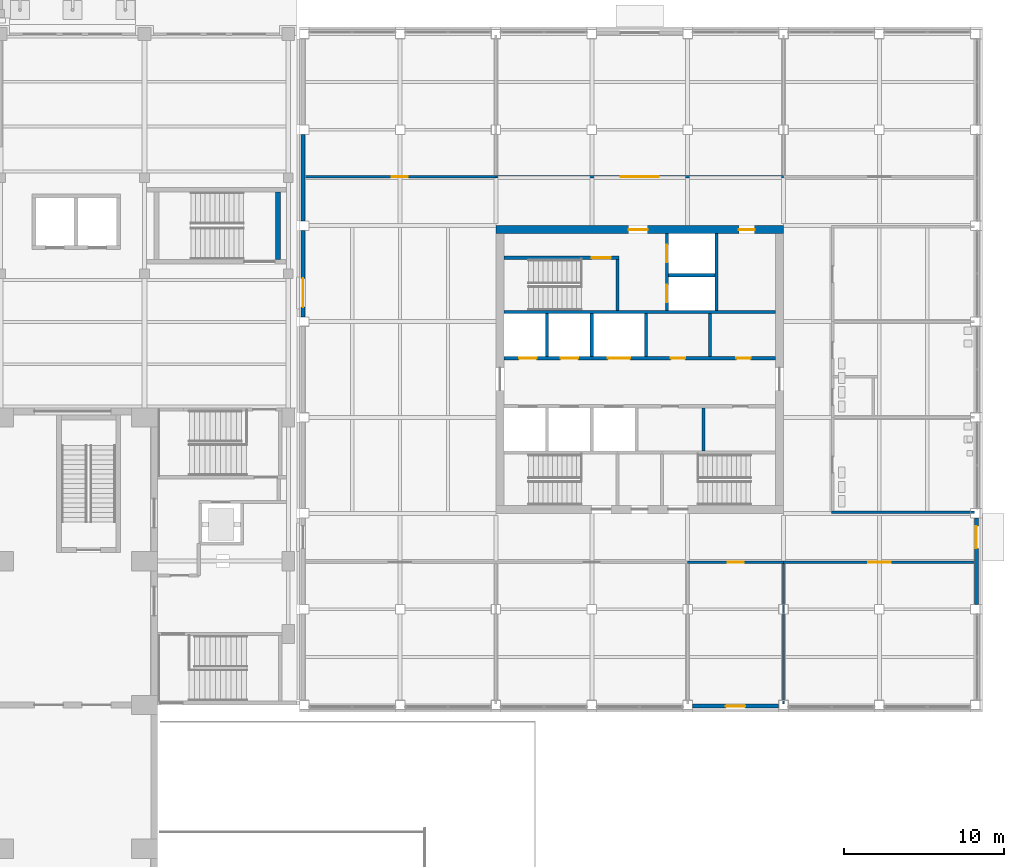
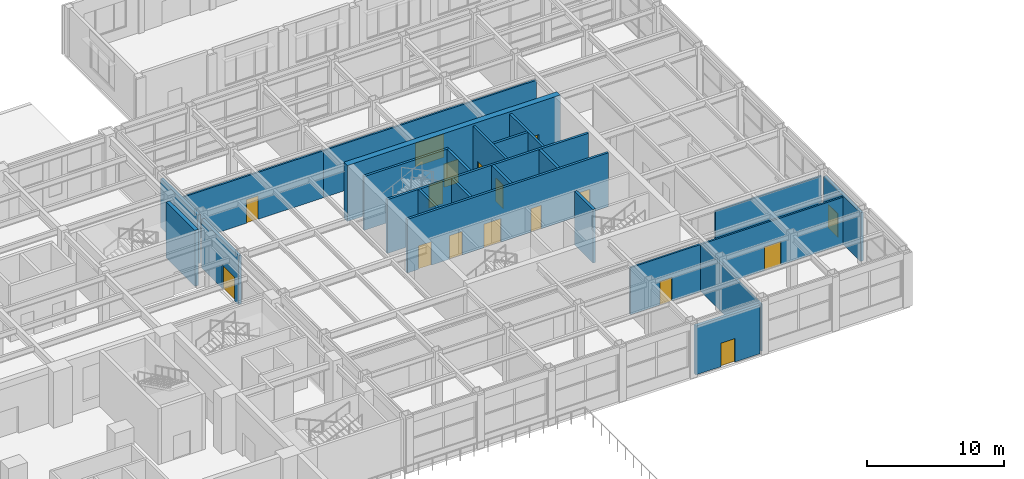
# One storey, part 46 of 77: 24 walls, 17 doors, 17 openings.
"""IFC4 building model written with IfcOpenShell, lengths in metres."""

from ifc_helpers import new_model, si_unit, direction, frame, frame_2d, origin, place, context, subcontext, project, spatial, rectangle, extrude, material, layer, layer_set, type_object, element, fill, save


model = new_model("IFC4")

# Units and contexts
model_context = context("Model", 3, precision=1e-05, world=origin(), true_north=direction((0.0, 1.0)))
body_context = subcontext(model_context, "Body", "Model", "MODEL_VIEW")
ifc_project = project(units=[si_unit("LENGTHUNIT", "METRE"), si_unit("AREAUNIT", "SQUARE_METRE"), si_unit("VOLUMEUNIT", "CUBIC_METRE"), si_unit("PLANEANGLEUNIT", "RADIAN"), si_unit("MASSUNIT", "GRAM", prefix="KILO")], contexts=[model_context])

# Site, building, storey
site_placement = place(None, origin())
site = spatial("IfcSite", under=ifc_project, at=site_placement, CompositionType="ELEMENT")
building_placement = place(site_placement, origin())
building = spatial("IfcBuilding", under=site, at=building_placement, Name="Aravalli Gate Trade Fair Centre", CompositionType="ELEMENT")
storey_placement = place(building_placement, origin())
storey = spatial("IfcBuildingStorey", under=building, at=storey_placement, Name="L00", CompositionType="ELEMENT", Elevation=0.0)

# Walls
ifc_material_1 = material(Name="Concrete M40", Category="concrete")
ifc_layer_1 = layer(ifc_material_1, 0.300048828125)
ifc_layer_set_1 = layer_set([ifc_layer_1], Name="Concrete M40")
wall_type_1 = type_object("IfcWallType", Name="RC core wall 300", PredefinedType="SHEAR", material=ifc_layer_set_1)
wall_1_placement = place(storey_placement, frame((158.35009765625, 118.89990234375, 0.0), z_axis=(0.0, 0.0, 1.0), x_axis=(0.0, 1.0, 0.0)))
element("IfcWall", 1, at=wall_1_placement, inside=storey, type_object=wall_type_1, Name="Core wall ESE L00", PredefinedType="SHEAR", context=body_context, shape_type="SweptSolid", body=[
    extrude(rectangle(XDim=4.2001953125, YDim=0.300048828125, at=frame_2d((2.10009765625, 0.0))), origin(), (0.0, 0.0, 1.0), 5.0),
])
ifc_material_2 = material(Name="Concrete M30", Category="concrete")
ifc_layer_2 = layer(ifc_material_2, 0.199951171875)
ifc_layer_set_2 = layer_set([ifc_layer_2], Name="Concrete M30")
wall_type_2 = type_object("IfcWallType", Name="Wing core internal wall 200 (EI 120, core wall)", PredefinedType="SOLIDWALL", material=ifc_layer_set_2)
wall_2_placement = place(storey_placement, frame((172.5, 115.60009765625, 0.0), z_axis=(0.0, 0.0, 1.0), x_axis=(1.0, 0.0, 0.0)))
element("IfcWall", 2, at=wall_2_placement, inside=storey, type_object=wall_type_2, Name="Core wall N-REAR L00", PredefinedType="SOLIDWALL", context=body_context, shape_type="SweptSolid", body=[
    extrude(rectangle(XDim=17.0, YDim=0.199951171875, at=frame_2d((8.5, 0.0))), origin(), (0.0, 0.0, 1.0), 4.800048828125),
])
ifc_layer_3 = layer(ifc_material_2, 0.199951171875)
ifc_layer_set_3 = layer_set([ifc_layer_3], Name="Concrete M30")
wall_type_3 = type_object("IfcWallType", Name="Wing core internal wall 200 (EI 120, firefighting shaft)", PredefinedType="SOLIDWALL", material=ifc_layer_set_3)
wall_3_placement = place(storey_placement, frame((179.60009765625, 115.699951171875, 0.0), z_axis=(0.0, 0.0, 1.0), x_axis=(0.0, 1.0, 0.0)))
element("IfcWall", 3, at=wall_3_placement, inside=storey, type_object=wall_type_3, Name="Core wall FF-AB L00", PredefinedType="SOLIDWALL", context=body_context, shape_type="SweptSolid", body=[
    extrude(rectangle(XDim=3.199951171875, YDim=0.199951171875, at=frame_2d((1.60009765625, 0.0))), origin(), (0.0, 0.0, 1.0), 4.800048828125),
])

# Wall, opening, door
wall_4_placement = place(storey_placement, frame((172.5, 119.0, 0.0), z_axis=(0.0, 0.0, 1.0), x_axis=(1.0, 0.0, 0.0)))
wall_4 = element("IfcWall", 4, at=wall_4_placement, inside=storey, type_object=wall_type_3, Name="Core wall FF-N L00", PredefinedType="SOLIDWALL", context=body_context, shape_type="SweptSolid", body=[
    extrude(rectangle(XDim=7.199951171875, YDim=0.199951171875, at=frame_2d((3.60009765625, 0.0))), origin(), (0.0, 0.0, 1.0), 4.800048828125),
])
opening_1_placement = place(wall_4_placement, frame((5.5, 0.0, 0.0)))
opening_1 = element("IfcOpeningElement", 5, at=opening_1_placement, cuts=wall_4, Name="Opening T-L00-131", PredefinedType="OPENING", context=body_context, shape_type="SweptSolid", body=[
    extrude(rectangle(XDim=1.199951171875, YDim=2.10009765625, at=frame_2d((0.60009765625, 1.050048828125))), frame((0.0, 0.10986328125, 0.0), z_axis=(0.0, -1.0, 0.0), x_axis=(1.0, 0.0, 0.0)), (0.0, 0.0, 1.0), 0.219970703125),
])
ifc_material_3 = material(Name="Steel, fire rated", Category="steel")
door_type_1 = type_object("IfcDoorType", Name="Wing fire door FD120 1200 x 2100", OperationType="SINGLE_SWING_LEFT", PredefinedType="DOOR", material=ifc_material_3)
door_1_placement = place(opening_1_placement, frame((1.199951171875, 0.0, 0.0), z_axis=(0.0, 0.0, 1.0), x_axis=(-1.0, 0.0, 0.0)))
door_1 = element("IfcDoor", 6, at=door_1_placement, inside=storey, type_object=door_type_1, Name="Core door T-L00-131", OperationType="SINGLE_SWING_LEFT", OverallHeight=2.10009765625, OverallWidth=1.199951171875, PredefinedType="DOOR", context=body_context, shape_type="SweptSolid", body=[
    extrude(rectangle(XDim=1.199951171875, YDim=2.10009765625, at=frame_2d((0.60009765625, 1.050048828125))), frame((0.0, 0.02490234375, 0.0), z_axis=(0.0, -1.0, 0.0), x_axis=(1.0, 0.0, 0.0)), (0.0, 0.0, 1.0), 0.050048828125),
])
fill(opening_1, door_1)

# Wall, openings, doors
wall_5_placement = place(storey_placement, frame((182.699951171875, 115.699951171875, 0.0), z_axis=(0.0, 0.0, 1.0), x_axis=(0.0, 1.0, 0.0)))
wall_5 = element("IfcWall", 7, at=wall_5_placement, inside=storey, type_object=wall_type_3, Name="Core wall FF-BC L00", PredefinedType="SOLIDWALL", context=body_context, shape_type="SweptSolid", body=[
    extrude(rectangle(XDim=4.800048828125, YDim=0.199951171875, at=frame_2d((2.39990234375, 0.0))), origin(), (0.0, 0.0, 1.0), 4.800048828125),
])
opening_2_placement = place(wall_5_placement, frame((0.5, 0.0, 0.0)))
opening_2 = element("IfcOpeningElement", 8, at=opening_2_placement, cuts=wall_5, Name="Opening T-L00-132", PredefinedType="OPENING", context=body_context, shape_type="SweptSolid", body=[
    extrude(rectangle(XDim=1.10009765625, YDim=2.10009765625, at=frame_2d((0.550048828125, 1.050048828125))), frame((0.0, 0.10986328125, 0.0), z_axis=(0.0, -1.0, 0.0), x_axis=(1.0, 0.0, 0.0)), (0.0, 0.0, 1.0), 0.219970703125),
])
opening_3_placement = place(wall_5_placement, frame((3.0, 0.0, 0.0)))
opening_3 = element("IfcOpeningElement", 9, at=opening_3_placement, cuts=wall_5, Name="Opening T-L00-133", PredefinedType="OPENING", context=body_context, shape_type="SweptSolid", body=[
    extrude(rectangle(XDim=1.10009765625, YDim=2.10009765625, at=frame_2d((0.550048828125, 1.050048828125))), frame((0.0, 0.10986328125, 0.0), z_axis=(0.0, -1.0, 0.0), x_axis=(1.0, 0.0, 0.0)), (0.0, 0.0, 1.0), 0.219970703125),
])
ifc_material_4 = material(Name="Elevator door panels")
door_type_2 = type_object("IfcDoorType", Name="Wing lift landing door 1100 x 2100", OperationType="SLIDING_TO_LEFT", PredefinedType="DOOR", material=ifc_material_4)
door_2_placement = place(opening_2_placement, origin())
door_2 = element("IfcDoor", 10, at=door_2_placement, inside=storey, type_object=door_type_2, Name="Landing door T-L00-132", OperationType="SLIDING_TO_LEFT", OverallHeight=2.10009765625, OverallWidth=1.10009765625, PredefinedType="DOOR", context=body_context, shape_type="SweptSolid", body=[
    extrude(rectangle(XDim=1.10009765625, YDim=2.10009765625, at=frame_2d((0.550048828125, 1.050048828125))), frame((0.0, 0.02490234375, 0.0), z_axis=(0.0, -1.0, 0.0), x_axis=(1.0, 0.0, 0.0)), (0.0, 0.0, 1.0), 0.050048828125),
])
fill(opening_2, door_2)
door_3_placement = place(opening_3_placement, origin())
door_3 = element("IfcDoor", 11, at=door_3_placement, inside=storey, type_object=door_type_2, Name="Landing door T-L00-133", OperationType="SLIDING_TO_LEFT", OverallHeight=2.10009765625, OverallWidth=1.10009765625, PredefinedType="DOOR", context=body_context, shape_type="SweptSolid", body=[
    extrude(rectangle(XDim=1.10009765625, YDim=2.10009765625, at=frame_2d((0.550048828125, 1.050048828125))), frame((0.0, 0.02490234375, 0.0), z_axis=(0.0, -1.0, 0.0), x_axis=(1.0, 0.0, 0.0)), (0.0, 0.0, 1.0), 0.050048828125),
])
fill(opening_3, door_3)

# Walls
wall_6_placement = place(storey_placement, frame((182.800048828125, 117.89990234375, 0.0), z_axis=(0.0, 0.0, 1.0), x_axis=(1.0, 0.0, 0.0)))
element("IfcWall", 12, at=wall_6_placement, inside=storey, type_object=wall_type_3, Name="Core wall FF-MID L00", PredefinedType="SOLIDWALL", context=body_context, shape_type="SweptSolid", body=[
    extrude(rectangle(XDim=2.89990234375, YDim=0.199951171875, at=frame_2d((1.449951171875, 0.0))), origin(), (0.0, 0.0, 1.0), 4.800048828125),
])
wall_7_placement = place(storey_placement, frame((185.800048828125, 115.699951171875, 0.0), z_axis=(0.0, 0.0, 1.0), x_axis=(0.0, 1.0, 0.0)))
element("IfcWall", 13, at=wall_7_placement, inside=storey, type_object=wall_type_3, Name="Core wall FF-CD L00", PredefinedType="SOLIDWALL", context=body_context, shape_type="SweptSolid", body=[
    extrude(rectangle(XDim=4.800048828125, YDim=0.199951171875, at=frame_2d((2.39990234375, 0.0))), origin(), (0.0, 0.0, 1.0), 4.800048828125),
])
ifc_layer_4 = layer(ifc_material_2, 0.199951171875)
ifc_layer_set_4 = layer_set([ifc_layer_4], Name="Concrete M30")
wall_type_4 = type_object("IfcWallType", Name="Wing core internal wall 200 (EI 120, lift shaft)", PredefinedType="SOLIDWALL", material=ifc_layer_set_4)
for number, where, z_axis, x_axis, name in (
    (14, (175.199951171875, 112.800048828125, 0.0), (0.0, 0.0, 1.0), (0.0, 1.0, 0.0), "Core wall NB-3.2 L00"),
    (15, (178.0, 112.800048828125, 0.0), (0.0, 0.0, 1.0), (0.0, 1.0, 0.0), "Core wall NB-6.0 L00"),
    (16, (181.39990234375, 112.800048828125, 0.0), (0.0, 0.0, 1.0), (0.0, 1.0, 0.0), "Core wall NB-9 L00"),
):
    element("IfcWall", number, at=place(storey_placement, frame(where, z_axis=z_axis, x_axis=x_axis)), inside=storey, type_object=wall_type_4, Name=name, PredefinedType="SOLIDWALL", context=body_context, shape_type="SweptSolid", body=[
        extrude(rectangle(XDim=2.699951171875, YDim=0.199951171875, at=frame_2d((1.35009765625, 0.0))), origin(), (0.0, 0.0, 1.0), 4.800048828125),
    ])

# Wall, openings, doors
wall_8_placement = place(storey_placement, frame((172.5, 112.699951171875, 0.0), z_axis=(0.0, 0.0, 1.0), x_axis=(1.0, 0.0, 0.0)))
wall_8 = element("IfcWall", 17, at=wall_8_placement, inside=storey, type_object=wall_type_4, Name="Core wall N-FRONT L00", PredefinedType="SOLIDWALL", context=body_context, shape_type="SweptSolid", body=[
    extrude(rectangle(XDim=17.0, YDim=0.199951171875, at=frame_2d((8.5, 0.0))), origin(), (0.0, 0.0, 1.0), 4.800048828125),
])
opening_4_placement = place(wall_8_placement, frame((0.949951171875, 0.0, 0.0)))
opening_4 = element("IfcOpeningElement", 18, at=opening_4_placement, cuts=wall_8, Name="Opening T-L00-121", PredefinedType="OPENING", context=body_context, shape_type="SweptSolid", body=[
    extrude(rectangle(XDim=1.10009765625, YDim=2.10009765625, at=frame_2d((0.550048828125, 1.050048828125))), frame((0.0, 0.10986328125, 0.0), z_axis=(0.0, -1.0, 0.0), x_axis=(1.0, 0.0, 0.0)), (0.0, 0.0, 1.0), 0.219970703125),
])
opening_5_placement = place(wall_8_placement, frame((3.550048828125, 0.0, 0.0)))
opening_5 = element("IfcOpeningElement", 19, at=opening_5_placement, cuts=wall_8, Name="Opening T-L00-122", PredefinedType="OPENING", context=body_context, shape_type="SweptSolid", body=[
    extrude(rectangle(XDim=1.10009765625, YDim=2.10009765625, at=frame_2d((0.550048828125, 1.050048828125))), frame((0.0, 0.10986328125, 0.0), z_axis=(0.0, -1.0, 0.0), x_axis=(1.0, 0.0, 0.0)), (0.0, 0.0, 1.0), 0.219970703125),
])
opening_6_placement = place(wall_8_placement, frame((6.5, 0.0, 0.0)))
opening_6 = element("IfcOpeningElement", 20, at=opening_6_placement, cuts=wall_8, Name="Opening T-L00-123", PredefinedType="OPENING", context=body_context, shape_type="SweptSolid", body=[
    extrude(rectangle(XDim=1.39990234375, YDim=2.10009765625, at=frame_2d((0.699951171875, 1.050048828125))), frame((0.0, 0.10986328125, 0.0), z_axis=(0.0, -1.0, 0.0), x_axis=(1.0, 0.0, 0.0)), (0.0, 0.0, 1.0), 0.219970703125),
])
opening_7_placement = place(wall_8_placement, frame((10.449951171875, 0.0, 0.0)))
opening_7 = element("IfcOpeningElement", 21, at=opening_7_placement, cuts=wall_8, Name="Opening T-L00-124", PredefinedType="OPENING", context=body_context, shape_type="SweptSolid", body=[
    extrude(rectangle(XDim=0.89990234375, YDim=2.10009765625, at=frame_2d((0.449951171875, 1.050048828125))), frame((0.0, 0.10986328125, 0.0), z_axis=(0.0, -1.0, 0.0), x_axis=(1.0, 0.0, 0.0)), (0.0, 0.0, 1.0), 0.219970703125),
])
opening_8_placement = place(wall_8_placement, frame((14.550048828125, 0.0, 0.0)))
opening_8 = element("IfcOpeningElement", 22, at=opening_8_placement, cuts=wall_8, Name="Opening T-L00-125", PredefinedType="OPENING", context=body_context, shape_type="SweptSolid", body=[
    extrude(rectangle(XDim=0.89990234375, YDim=2.10009765625, at=frame_2d((0.449951171875, 1.050048828125))), frame((0.0, 0.10986328125, 0.0), z_axis=(0.0, -1.0, 0.0), x_axis=(1.0, 0.0, 0.0)), (0.0, 0.0, 1.0), 0.219970703125),
])
door_type_3 = type_object("IfcDoorType", Name="Wing fire door FD120 900 x 2100", OperationType="SINGLE_SWING_LEFT", PredefinedType="DOOR", material=ifc_material_3)
door_4_placement = place(opening_7_placement, origin())
door_4 = element("IfcDoor", 23, at=door_4_placement, inside=storey, type_object=door_type_3, Name="Core door T-L00-124", OperationType="SINGLE_SWING_LEFT", OverallHeight=2.10009765625, OverallWidth=0.89990234375, PredefinedType="DOOR", context=body_context, shape_type="SweptSolid", body=[
    extrude(rectangle(XDim=0.89990234375, YDim=2.10009765625, at=frame_2d((0.449951171875, 1.050048828125))), frame((0.0, 0.02490234375, 0.0), z_axis=(0.0, -1.0, 0.0), x_axis=(1.0, 0.0, 0.0)), (0.0, 0.0, 1.0), 0.050048828125),
])
fill(opening_7, door_4)
door_5_placement = place(opening_8_placement, origin())
door_5 = element("IfcDoor", 24, at=door_5_placement, inside=storey, type_object=door_type_3, Name="Core door T-L00-125", OperationType="SINGLE_SWING_RIGHT", OverallHeight=2.10009765625, OverallWidth=0.89990234375, PredefinedType="DOOR", context=body_context, shape_type="SweptSolid", body=[
    extrude(rectangle(XDim=0.89990234375, YDim=2.10009765625, at=frame_2d((0.449951171875, 1.050048828125))), frame((0.0, 0.02490234375, 0.0), z_axis=(0.0, -1.0, 0.0), x_axis=(1.0, 0.0, 0.0)), (0.0, 0.0, 1.0), 0.050048828125),
])
fill(opening_8, door_5)
door_6_placement = place(opening_4_placement, origin())
door_6 = element("IfcDoor", 25, at=door_6_placement, inside=storey, type_object=door_type_2, Name="Landing door T-L00-121", OperationType="SLIDING_TO_LEFT", OverallHeight=2.10009765625, OverallWidth=1.10009765625, PredefinedType="DOOR", context=body_context, shape_type="SweptSolid", body=[
    extrude(rectangle(XDim=1.10009765625, YDim=2.10009765625, at=frame_2d((0.550048828125, 1.050048828125))), frame((0.0, 0.02490234375, 0.0), z_axis=(0.0, -1.0, 0.0), x_axis=(1.0, 0.0, 0.0)), (0.0, 0.0, 1.0), 0.050048828125),
])
fill(opening_4, door_6)
door_7_placement = place(opening_5_placement, origin())
door_7 = element("IfcDoor", 26, at=door_7_placement, inside=storey, type_object=door_type_2, Name="Landing door T-L00-122", OperationType="SLIDING_TO_LEFT", OverallHeight=2.10009765625, OverallWidth=1.10009765625, PredefinedType="DOOR", context=body_context, shape_type="SweptSolid", body=[
    extrude(rectangle(XDim=1.10009765625, YDim=2.10009765625, at=frame_2d((0.550048828125, 1.050048828125))), frame((0.0, 0.02490234375, 0.0), z_axis=(0.0, -1.0, 0.0), x_axis=(1.0, 0.0, 0.0)), (0.0, 0.0, 1.0), 0.050048828125),
])
fill(opening_5, door_7)
door_type_4 = type_object("IfcDoorType", Name="Wing lift landing door 1400 x 2100", OperationType="SLIDING_TO_LEFT", PredefinedType="DOOR", material=ifc_material_4)
door_8_placement = place(opening_6_placement, origin())
door_8 = element("IfcDoor", 27, at=door_8_placement, inside=storey, type_object=door_type_4, Name="Landing door T-L00-123", OperationType="SLIDING_TO_LEFT", OverallHeight=2.10009765625, OverallWidth=1.39990234375, PredefinedType="DOOR", context=body_context, shape_type="SweptSolid", body=[
    extrude(rectangle(XDim=1.39990234375, YDim=2.10009765625, at=frame_2d((0.699951171875, 1.050048828125))), frame((0.0, 0.02490234375, 0.0), z_axis=(0.0, -1.0, 0.0), x_axis=(1.0, 0.0, 0.0)), (0.0, 0.0, 1.0), 0.050048828125),
])
fill(opening_6, door_8)

# Walls
ifc_material_5 = material(Name="Concrete block masonry", Category="masonry")
ifc_layer_5 = layer(ifc_material_5, 0.199951171875)
ifc_layer_set_5 = layer_set([ifc_layer_5], Name="Concrete block masonry")
wall_type_5 = type_object("IfcWallType", Name="Wing core internal wall 200 (EI 120, riser shaft)", PredefinedType="SOLIDWALL", material=ifc_layer_set_5)
wall_9_placement = place(storey_placement, frame((185.0, 106.89990234375, 0.0), z_axis=(0.0, 0.0, 1.0), x_axis=(0.0, 1.0, 0.0)))
element("IfcWall", 28, at=wall_9_placement, inside=storey, type_object=wall_type_5, Name="Core wall SB-13 L00", PredefinedType="SOLIDWALL", context=body_context, shape_type="SweptSolid", body=[
    extrude(rectangle(XDim=2.7001953125, YDim=0.199951171875, at=frame_2d((1.35009765625, 0.0))), origin(), (0.0, 0.0, 1.0), 4.800048828125),
])
wall_10_placement = place(storey_placement, frame((185.39990234375, 112.800048828125, 0.0), z_axis=(0.0, 0.0, 1.0), x_axis=(0.0, 1.0, 0.0)))
element("IfcWall", 29, at=wall_10_placement, inside=storey, type_object=wall_type_5, Name="Core wall NB-13 L00", PredefinedType="SOLIDWALL", context=body_context, shape_type="SweptSolid", body=[
    extrude(rectangle(XDim=2.699951171875, YDim=0.199951171875, at=frame_2d((1.35009765625, 0.0))), origin(), (0.0, 0.0, 1.0), 4.800048828125),
])

# Wall, openings, doors
ifc_material_6 = material(Name="Concrete M50", Category="concrete")
ifc_layer_6 = layer(ifc_material_6, 0.5)
ifc_layer_set_6 = layer_set([ifc_layer_6], Name="Concrete M50")
wall_type_6 = type_object("IfcWallType", Name="Wing core shear wall 500", PredefinedType="SHEAR", material=ifc_layer_set_6)
wall_11_placement = place(storey_placement, frame((172.0, 120.75, 0.0), z_axis=(0.0, 0.0, 1.0), x_axis=(1.0, 0.0, 0.0)))
wall_11 = element("IfcWall", 30, at=wall_11_placement, inside=storey, type_object=wall_type_6, Name="Core wall N L00", PredefinedType="SHEAR", context=body_context, shape_type="SweptSolid", body=[
    extrude(rectangle(XDim=18.0, YDim=0.5, at=frame_2d((9.0, 0.0))), origin(), (0.0, 0.0, 1.0), 5.0),
])
opening_9_placement = place(wall_11_placement, frame((8.300048828125, 0.0, 0.0)))
opening_9 = element("IfcOpeningElement", 31, at=opening_9_placement, cuts=wall_11, Name="Opening T-L00-104", PredefinedType="OPENING", context=body_context, shape_type="SweptSolid", body=[
    extrude(rectangle(XDim=1.199951171875, YDim=2.10009765625, at=frame_2d((0.60009765625, 1.050048828125))), frame((0.0, 0.260009765625, 0.0), z_axis=(0.0, -1.0, 0.0), x_axis=(1.0, 0.0, 0.0)), (0.0, 0.0, 1.0), 0.52001953125),
])
opening_10_placement = place(wall_11_placement, frame((15.199951171875, 0.0, 0.0)))
opening_10 = element("IfcOpeningElement", 32, at=opening_10_placement, cuts=wall_11, Name="Opening T-L00-105", PredefinedType="OPENING", context=body_context, shape_type="SweptSolid", body=[
    extrude(rectangle(XDim=1.0, YDim=2.10009765625, at=frame_2d((0.5, 1.050048828125))), frame((0.0, 0.260009765625, 0.0), z_axis=(0.0, -1.0, 0.0), x_axis=(1.0, 0.0, 0.0)), (0.0, 0.0, 1.0), 0.52001953125),
])
door_type_5 = type_object("IfcDoorType", Name="Wing fire door FD120 1000 x 2100", OperationType="SINGLE_SWING_LEFT", PredefinedType="DOOR", material=ifc_material_3)
door_9_placement = place(opening_10_placement, frame((1.0, 0.0, 0.0), z_axis=(0.0, 0.0, 1.0), x_axis=(-1.0, 0.0, 0.0)))
door_9 = element("IfcDoor", 33, at=door_9_placement, inside=storey, type_object=door_type_5, Name="Core door T-L00-105", OperationType="SINGLE_SWING_LEFT", OverallHeight=2.10009765625, OverallWidth=1.0, PredefinedType="DOOR", context=body_context, shape_type="SweptSolid", body=[
    extrude(rectangle(XDim=1.0, YDim=2.10009765625, at=frame_2d((0.5, 1.050048828125))), frame((0.0, 0.02490234375, 0.0), z_axis=(0.0, -1.0, 0.0), x_axis=(1.0, 0.0, 0.0)), (0.0, 0.0, 1.0), 0.050048828125),
])
fill(opening_10, door_9)
door_10_placement = place(opening_9_placement, frame((1.199951171875, 0.0, 0.0), z_axis=(0.0, 0.0, 1.0), x_axis=(-1.0, 0.0, 0.0)))
door_10 = element("IfcDoor", 34, at=door_10_placement, inside=storey, type_object=door_type_1, Name="Core door T-L00-104", OperationType="SINGLE_SWING_LEFT", OverallHeight=2.10009765625, OverallWidth=1.199951171875, PredefinedType="DOOR", context=body_context, shape_type="SweptSolid", body=[
    extrude(rectangle(XDim=1.199951171875, YDim=2.10009765625, at=frame_2d((0.60009765625, 1.050048828125))), frame((0.0, 0.02490234375, 0.0), z_axis=(0.0, -1.0, 0.0), x_axis=(1.0, 0.0, 0.0)), (0.0, 0.0, 1.0), 0.050048828125),
])
fill(opening_9, door_10)

# Wall, opening, door
ifc_material_7 = material(Name="Blockwork with fire-rated lining", Category="masonry")
ifc_layer_7 = layer(ifc_material_7, 0.14990234375)
ifc_layer_set_7 = layer_set([ifc_layer_7], Name="Blockwork with fire-rated lining")
wall_type_7 = type_object("IfcWallType", Name="Wing partition 150 (EI 120, plant room)", PredefinedType="PARTITIONING", material=ifc_layer_set_7)
wall_12_placement = place(storey_placement, frame((184.0, 99.925048828125, 0.0), z_axis=(0.0, 0.0, 1.0), x_axis=(1.0, 0.0, 0.0)))
wall_12 = element("IfcWall", 35, at=wall_12_placement, inside=storey, type_object=wall_type_7, Name="Partition SW3 L00", PredefinedType="PARTITIONING", context=body_context, shape_type="SweptSolid", body=[
    extrude(rectangle(XDim=6.0, YDim=0.14990234375, at=frame_2d((3.0, 0.0))), origin(), (0.0, 0.0, 1.0), 4.199951171875),
])
opening_11_placement = place(wall_12_placement, frame((2.5, 0.0, 0.0)))
opening_11 = element("IfcOpeningElement", 36, at=opening_11_placement, cuts=wall_12, Name="Opening T-L00-143", PredefinedType="OPENING", context=body_context, shape_type="SweptSolid", body=[
    extrude(rectangle(XDim=1.0, YDim=2.10009765625, at=frame_2d((0.5, 1.050048828125))), frame((0.0, 0.0849609375, 0.0), z_axis=(0.0, -1.0, 0.0), x_axis=(1.0, 0.0, 0.0)), (0.0, 0.0, 1.0), 0.169921875),
])
door_11_placement = place(opening_11_placement, frame((1.0, 0.0, 0.0), z_axis=(0.0, 0.0, 1.0), x_axis=(-1.0, 0.0, 0.0)))
door_11 = element("IfcDoor", 37, at=door_11_placement, inside=storey, type_object=door_type_5, Name="Door T-L00-143", OperationType="SINGLE_SWING_RIGHT", OverallHeight=2.10009765625, OverallWidth=1.0, PredefinedType="DOOR", context=body_context, shape_type="SweptSolid", body=[
    extrude(rectangle(XDim=1.0, YDim=2.10009765625, at=frame_2d((0.5, 1.050048828125))), frame((0.0, 0.02490234375, 0.0), z_axis=(0.0, -1.0, 0.0), x_axis=(1.0, 0.0, 0.0)), (0.0, 0.0, 1.0), 0.050048828125),
])
fill(opening_11, door_11)

# Wall
wall_13_placement = place(storey_placement, frame((190.0, 91.050048828125, 0.0), z_axis=(0.0, 0.0, 1.0), x_axis=(0.0, 1.0, 0.0)))
element("IfcWall", 38, at=wall_13_placement, inside=storey, type_object=wall_type_7, Name="Partition SP3 L00", PredefinedType="PARTITIONING", context=body_context, shape_type="SweptSolid", body=[
    extrude(rectangle(XDim=8.800048828125, YDim=0.14990234375, at=frame_2d((4.39990234375, 0.0))), origin(), (0.0, 0.0, 1.0), 4.199951171875),
])

# Wall, opening, door
ifc_layer_8 = layer(ifc_material_7, 0.14990234375)
ifc_layer_set_8 = layer_set([ifc_layer_8], Name="Blockwork with fire-rated lining")
wall_type_8 = type_object("IfcWallType", Name="Wing partition 150 (EI 60, corridor wall)", PredefinedType="PARTITIONING", material=ifc_layer_set_8)
wall_14_placement = place(storey_placement, frame((190.0, 99.925048828125, 0.0), z_axis=(0.0, 0.0, 1.0), x_axis=(1.0, 0.0, 0.0)))
wall_14 = element("IfcWall", 39, at=wall_14_placement, inside=storey, type_object=wall_type_8, Name="Partition SW4 L00", PredefinedType="PARTITIONING", context=body_context, shape_type="SweptSolid", body=[
    extrude(rectangle(XDim=11.949951171875, YDim=0.14990234375, at=frame_2d((5.97509765625, 0.0))), origin(), (0.0, 0.0, 1.0), 4.199951171875),
])
opening_12_placement = place(wall_14_placement, frame((5.3125, 0.0, 0.0)))
opening_12 = element("IfcOpeningElement", 40, at=opening_12_placement, cuts=wall_14, Name="Opening T-L00-144", PredefinedType="OPENING", context=body_context, shape_type="SweptSolid", body=[
    extrude(rectangle(XDim=1.39990234375, YDim=2.10009765625, at=frame_2d((0.699951171875, 1.050048828125))), frame((0.0, 0.0849609375, 0.0), z_axis=(0.0, -1.0, 0.0), x_axis=(1.0, 0.0, 0.0)), (0.0, 0.0, 1.0), 0.169921875),
])
door_type_6 = type_object("IfcDoorType", Name="Wing fire door FD60 1400 x 2100", OperationType="DOUBLE_DOOR_SINGLE_SWING", PredefinedType="DOOR", material=ifc_material_3)
door_12_placement = place(opening_12_placement, origin())
door_12 = element("IfcDoor", 41, at=door_12_placement, inside=storey, type_object=door_type_6, Name="Door T-L00-144", OperationType="DOUBLE_DOOR_SINGLE_SWING", OverallHeight=2.10009765625, OverallWidth=1.39990234375, PredefinedType="DOOR", context=body_context, shape_type="SweptSolid", body=[
    extrude(rectangle(XDim=1.39990234375, YDim=2.10009765625, at=frame_2d((0.699951171875, 1.050048828125))), frame((0.0, 0.02490234375, 0.0), z_axis=(0.0, -1.0, 0.0), x_axis=(1.0, 0.0, 0.0)), (0.0, 0.0, 1.0), 0.050048828125),
])
fill(opening_12, door_12)

wall_15_placement = place(storey_placement, frame((160.050048828125, 124.074951171875, 0.0), z_axis=(0.0, 0.0, 1.0), x_axis=(1.0, 0.0, 0.0)))
wall_15 = element("IfcWall", 42, at=wall_15_placement, inside=storey, type_object=wall_type_8, Name="Partition NW1 L00", PredefinedType="PARTITIONING", context=body_context, shape_type="SweptSolid", body=[
    extrude(rectangle(XDim=11.949951171875, YDim=0.14990234375, at=frame_2d((5.97509765625, 0.0))), origin(), (0.0, 0.0, 1.0), 4.199951171875),
])
opening_13_placement = place(wall_15_placement, frame((5.4375, 0.0, 0.0)))
opening_13 = element("IfcOpeningElement", 43, at=opening_13_placement, cuts=wall_15, Name="Opening T-L00-145", PredefinedType="OPENING", context=body_context, shape_type="SweptSolid", body=[
    extrude(rectangle(XDim=1.0, YDim=2.10009765625, at=frame_2d((0.5, 1.050048828125))), frame((0.0, 0.0849609375, 0.0), z_axis=(0.0, -1.0, 0.0), x_axis=(1.0, 0.0, 0.0)), (0.0, 0.0, 1.0), 0.169921875),
])
door_type_7 = type_object("IfcDoorType", Name="Wing fire door FD60 1000 x 2100", OperationType="SINGLE_SWING_LEFT", PredefinedType="DOOR", material=ifc_material_3)
door_13_placement = place(opening_13_placement, origin())
door_13 = element("IfcDoor", 44, at=door_13_placement, inside=storey, type_object=door_type_7, Name="Door T-L00-145", OperationType="SINGLE_SWING_LEFT", OverallHeight=2.10009765625, OverallWidth=1.0, PredefinedType="DOOR", context=body_context, shape_type="SweptSolid", body=[
    extrude(rectangle(XDim=1.0, YDim=2.10009765625, at=frame_2d((0.5, 1.050048828125))), frame((0.0, 0.02490234375, 0.0), z_axis=(0.0, -1.0, 0.0), x_axis=(1.0, 0.0, 0.0)), (0.0, 0.0, 1.0), 0.050048828125),
])
fill(opening_13, door_13)

wall_16_placement = place(storey_placement, frame((172.0, 124.074951171875, 0.0), z_axis=(0.0, 0.0, 1.0), x_axis=(1.0, 0.0, 0.0)))
wall_16 = element("IfcWall", 45, at=wall_16_placement, inside=storey, type_object=wall_type_8, Name="Partition NW2 L00", PredefinedType="PARTITIONING", context=body_context, shape_type="SweptSolid", body=[
    extrude(rectangle(XDim=18.0, YDim=0.14990234375, at=frame_2d((9.0, 0.0))), origin(), (0.0, 0.0, 1.0), 4.199951171875),
])
opening_14_placement = place(wall_16_placement, frame((7.800048828125, 0.0, 0.0)))
opening_14 = element("IfcOpeningElement", 46, at=opening_14_placement, cuts=wall_16, Name="Opening T-L00-146", PredefinedType="OPENING", context=body_context, shape_type="SweptSolid", body=[
    extrude(rectangle(XDim=2.39990234375, YDim=2.10009765625, at=frame_2d((1.199951171875, 1.050048828125))), frame((0.0, 0.0849609375, 0.0), z_axis=(0.0, -1.0, 0.0), x_axis=(1.0, 0.0, 0.0)), (0.0, 0.0, 1.0), 0.169921875),
])
door_type_8 = type_object("IfcDoorType", Name="Wing fire door FD60 2400 x 2100", OperationType="DOUBLE_DOOR_SINGLE_SWING", PredefinedType="DOOR", material=ifc_material_3)
door_14_placement = place(opening_14_placement, frame((2.39990234375, 0.0, 0.0), z_axis=(0.0, 0.0, 1.0), x_axis=(-1.0, 0.0, 0.0)))
door_14 = element("IfcDoor", 47, at=door_14_placement, inside=storey, type_object=door_type_8, Name="Door T-L00-146", OperationType="DOUBLE_DOOR_SINGLE_SWING", OverallHeight=2.10009765625, OverallWidth=2.39990234375, PredefinedType="DOOR", context=body_context, shape_type="SweptSolid", body=[
    extrude(rectangle(XDim=2.39990234375, YDim=2.10009765625, at=frame_2d((1.199951171875, 1.050048828125))), frame((0.0, 0.02490234375, 0.0), z_axis=(0.0, -1.0, 0.0), x_axis=(1.0, 0.0, 0.0)), (0.0, 0.0, 1.0), 0.050048828125),
])
fill(opening_14, door_14)

# Wall
wall_17_placement = place(storey_placement, frame((193.0, 103.074951171875, 0.0), z_axis=(0.0, 0.0, 1.0), x_axis=(1.0, 0.0, 0.0)))
element("IfcWall", 48, at=wall_17_placement, inside=storey, type_object=wall_type_8, Name="Partition CL-SE L00", PredefinedType="PARTITIONING", context=body_context, shape_type="SweptSolid", body=[
    extrude(rectangle(XDim=8.949951171875, YDim=0.14990234375, at=frame_2d((4.47509765625, 0.0))), origin(), (0.0, 0.0, 1.0), 4.199951171875),
])

# Wall, opening, door
ifc_layer_9 = layer(ifc_material_5, 0.2099609375, Name="Block masonry")
ifc_material_8 = material(Name="Terracotta cladding", Category="masonry")
ifc_layer_10 = layer(ifc_material_8, 0.0400390625, Name="Terracotta cladding")
ifc_layer_set_9 = layer_set([ifc_layer_9, ifc_layer_10], Name="Wing terracotta clad infill wall 250")
wall_type_9 = type_object("IfcWallType", Name="Wing terracotta clad infill wall 250", PredefinedType="SOLIDWALL", material=ifc_layer_set_9)
wall_18_placement = place(storey_placement, frame((184.300048828125, 90.925048828125, 0.0), z_axis=(0.0, 0.0, 1.0), x_axis=(1.0, 0.0, 0.0)))
wall_18 = element("IfcWall", 49, at=wall_18_placement, inside=storey, type_object=wall_type_9, Name="Facade wall S4 L00", PredefinedType="SOLIDWALL", context=body_context, shape_type="SweptSolid", body=[
    extrude(rectangle(XDim=5.39990234375, YDim=0.25, at=frame_2d((2.699951171875, 0.0))), origin(), (0.0, 0.0, 1.0), 4.35009765625),
])
opening_15_placement = place(wall_18_placement, frame((2.10009765625, 0.0, 0.0)))
opening_15 = element("IfcOpeningElement", 50, at=opening_15_placement, cuts=wall_18, Name="Opening T-L00-185", PredefinedType="OPENING", context=body_context, shape_type="SweptSolid", body=[
    extrude(rectangle(XDim=1.199951171875, YDim=2.10009765625, at=frame_2d((0.60009765625, 1.050048828125))), frame((0.0, 0.135009765625, 0.0), z_axis=(0.0, -1.0, 0.0), x_axis=(1.0, 0.0, 0.0)), (0.0, 0.0, 1.0), 0.27001953125),
])
door_15_placement = place(opening_15_placement, frame((1.199951171875, 0.0, 0.0), z_axis=(0.0, 0.0, 1.0), x_axis=(-1.0, 0.0, 0.0)))
door_15 = element("IfcDoor", 51, at=door_15_placement, inside=storey, type_object=door_type_1, Name="Door T-L00-185", OperationType="SINGLE_SWING_LEFT", OverallHeight=2.10009765625, OverallWidth=1.199951171875, PredefinedType="DOOR", context=body_context, shape_type="SweptSolid", body=[
    extrude(rectangle(XDim=1.199951171875, YDim=2.10009765625, at=frame_2d((0.60009765625, 1.050048828125))), frame((0.0, 0.02490234375, 0.0), z_axis=(0.0, -1.0, 0.0), x_axis=(1.0, 0.0, 0.0)), (0.0, 0.0, 1.0), 0.050048828125),
])
fill(opening_15, door_15)

wall_19_placement = place(storey_placement, frame((202.074951171875, 97.300048828125, 0.0), z_axis=(0.0, 0.0, 1.0), x_axis=(0.0, 1.0, 0.0)))
wall_19 = element("IfcWall", 52, at=wall_19_placement, inside=storey, type_object=wall_type_9, Name="Facade wall E1 L00", PredefinedType="SOLIDWALL", context=body_context, shape_type="SweptSolid", body=[
    extrude(rectangle(XDim=5.39990234375, YDim=0.25, at=frame_2d((2.699951171875, 0.0))), origin(), (0.0, 0.0, 1.0), 4.35009765625),
])
opening_16_placement = place(wall_19_placement, frame((3.5, 0.0, 0.0)))
opening_16 = element("IfcOpeningElement", 53, at=opening_16_placement, cuts=wall_19, Name="Opening T-L00-183", PredefinedType="OPENING", context=body_context, shape_type="SweptSolid", body=[
    extrude(rectangle(XDim=1.39990234375, YDim=2.10009765625, at=frame_2d((0.699951171875, 1.050048828125))), frame((0.0, 0.135009765625, 0.0), z_axis=(0.0, -1.0, 0.0), x_axis=(1.0, 0.0, 0.0)), (0.0, 0.0, 1.0), 0.27001953125),
])
door_type_9 = type_object("IfcDoorType", Name="Wing fire door FD120 1400 x 2100", OperationType="DOUBLE_DOOR_SINGLE_SWING", PredefinedType="DOOR", material=ifc_material_3)
door_16_placement = place(opening_16_placement, frame((1.39990234375, 0.0, 0.0), z_axis=(0.0, 0.0, 1.0), x_axis=(-1.0, 0.0, 0.0)))
door_16 = element("IfcDoor", 54, at=door_16_placement, inside=storey, type_object=door_type_9, Name="Door T-L00-183", OperationType="DOUBLE_DOOR_SINGLE_SWING", OverallHeight=2.10009765625, OverallWidth=1.39990234375, PredefinedType="DOOR", context=body_context, shape_type="SweptSolid", body=[
    extrude(rectangle(XDim=1.39990234375, YDim=2.10009765625, at=frame_2d((0.699951171875, 1.050048828125))), frame((0.0, 0.02490234375, 0.0), z_axis=(0.0, -1.0, 0.0), x_axis=(1.0, 0.0, 0.0)), (0.0, 0.0, 1.0), 0.050048828125),
])
fill(opening_16, door_16)

ifc_layer_11 = layer(ifc_material_5, 0.2099609375, Name="Block masonry")
ifc_layer_12 = layer(ifc_material_8, 0.0400390625, Name="Terracotta cladding")
ifc_layer_set_10 = layer_set([ifc_layer_11, ifc_layer_12], Name="Wing west closing wall 250")
wall_type_10 = type_object("IfcWallType", Name="Wing west closing wall 250", PredefinedType="SOLIDWALL", material=ifc_layer_set_10)
wall_20_placement = place(storey_placement, frame((159.925048828125, 115.300048828125, 0.0), z_axis=(0.0, 0.0, 1.0), x_axis=(0.0, 1.0, 0.0)))
wall_20 = element("IfcWall", 55, at=wall_20_placement, inside=storey, type_object=wall_type_10, Name="Facade wall W4 L00", PredefinedType="SOLIDWALL", context=body_context, shape_type="SweptSolid", body=[
    extrude(rectangle(XDim=5.39990234375, YDim=0.25, at=frame_2d((2.699951171875, 0.0))), origin(), (0.0, 0.0, 1.0), 4.35009765625),
])
opening_17_placement = place(wall_20_placement, frame((0.60009765625, 0.0, 0.0)))
opening_17 = element("IfcOpeningElement", 56, at=opening_17_placement, cuts=wall_20, Name="Opening T-L00-182", PredefinedType="OPENING", context=body_context, shape_type="SweptSolid", body=[
    extrude(rectangle(XDim=1.800048828125, YDim=2.10009765625, at=frame_2d((0.89990234375, 1.050048828125))), frame((0.0, 0.135009765625, 0.0), z_axis=(0.0, -1.0, 0.0), x_axis=(1.0, 0.0, 0.0)), (0.0, 0.0, 1.0), 0.27001953125),
])
door_type_10 = type_object("IfcDoorType", Name="Wing fire door FD120 1800 x 2100", OperationType="DOUBLE_DOOR_SINGLE_SWING", PredefinedType="DOOR", material=ifc_material_3)
door_17_placement = place(opening_17_placement, origin())
door_17 = element("IfcDoor", 57, at=door_17_placement, inside=storey, type_object=door_type_10, Name="Door T-L00-182", OperationType="DOUBLE_DOOR_SINGLE_SWING", OverallHeight=2.10009765625, OverallWidth=1.800048828125, PredefinedType="DOOR", context=body_context, shape_type="SweptSolid", body=[
    extrude(rectangle(XDim=1.800048828125, YDim=2.10009765625, at=frame_2d((0.89990234375, 1.050048828125))), frame((0.0, 0.02490234375, 0.0), z_axis=(0.0, -1.0, 0.0), x_axis=(1.0, 0.0, 0.0)), (0.0, 0.0, 1.0), 0.050048828125),
])
fill(opening_17, door_17)

# Wall
wall_21_placement = place(storey_placement, frame((159.925048828125, 121.300048828125, 0.0), z_axis=(0.0, 0.0, 1.0), x_axis=(0.0, 1.0, 0.0)))
element("IfcWall", 58, at=wall_21_placement, inside=storey, type_object=wall_type_10, Name="Facade wall W5 L00", PredefinedType="SOLIDWALL", context=body_context, shape_type="SweptSolid", body=[
    extrude(rectangle(XDim=5.39990234375, YDim=0.25, at=frame_2d((2.699951171875, 0.0))), origin(), (0.0, 0.0, 1.0), 4.35009765625),
])

save(model, "model.ifc")
